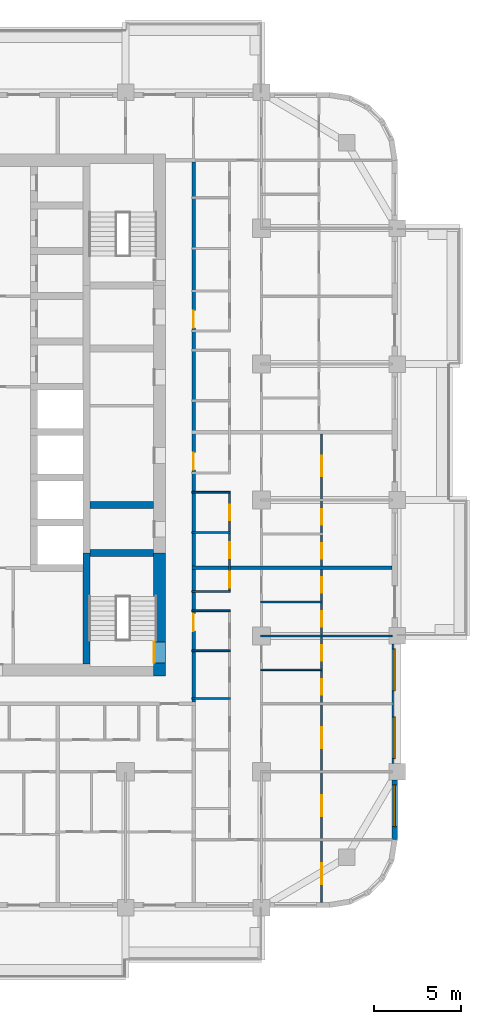
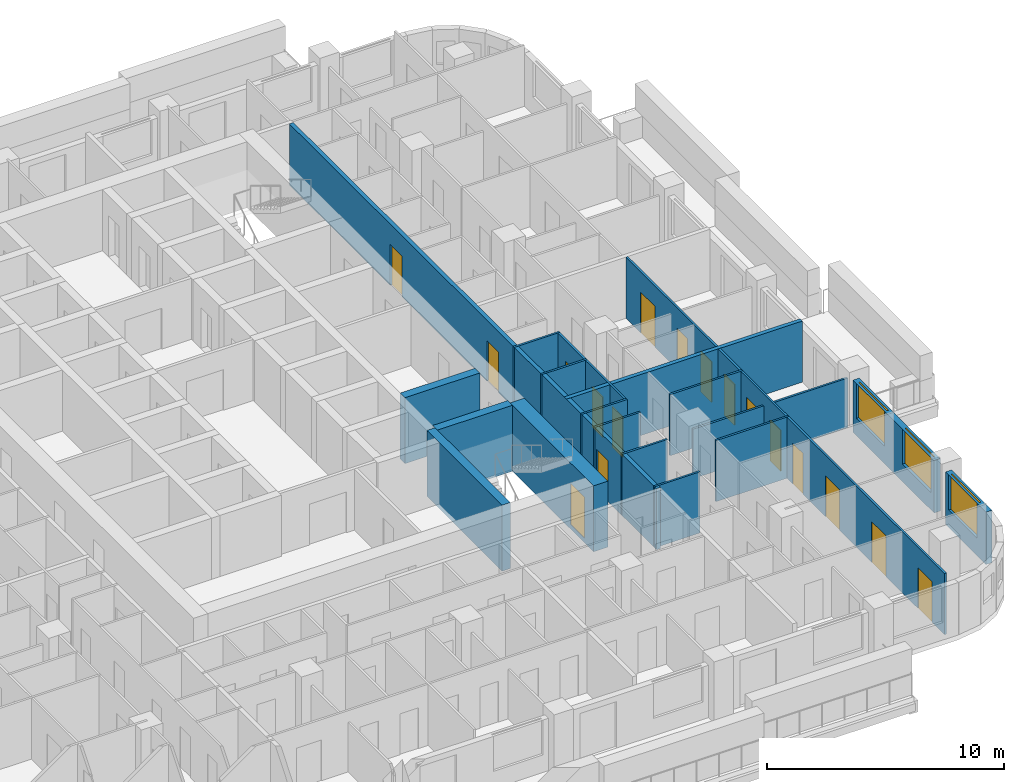
# One storey, part 8 of 17: 19 walls, 17 doors, 3 windows, 20 openings.
"""IFC4 building model written with IfcOpenShell, lengths in metres."""

from ifc_helpers import new_model, si_unit, direction, frame, frame_2d, origin, place, context, subcontext, project, spatial, rectangle, extrude, material, layer, layer_set, type_object, element, fill, save


model = new_model("IFC4")

# Units and contexts
model_context = context("Model", 3, precision=1e-05, world=origin(), true_north=direction((0.0, 1.0)))
body_context = subcontext(model_context, "Body", "Model", "MODEL_VIEW")
ifc_project = project(units=[si_unit("LENGTHUNIT", "METRE"), si_unit("AREAUNIT", "SQUARE_METRE"), si_unit("VOLUMEUNIT", "CUBIC_METRE"), si_unit("PLANEANGLEUNIT", "RADIAN"), si_unit("MASSUNIT", "GRAM", prefix="KILO")], contexts=[model_context])

# Site, building, storey
site_placement = place(None, origin())
site = spatial("IfcSite", under=ifc_project, at=site_placement, CompositionType="ELEMENT")
building_placement = place(site_placement, origin())
building = spatial("IfcBuilding", under=site, at=building_placement, Name="Ludao Terraces", CompositionType="ELEMENT")
storey_placement = place(building_placement, frame((0.0, 0.0, 85.199951171875)))
storey = spatial("IfcBuildingStorey", under=building, at=storey_placement, Name="L23", CompositionType="ELEMENT", Elevation=85.199951171875)

# Wall, opening, door
ifc_material_1 = material(Name="Concrete C70", Category="concrete")
ifc_layer_1 = layer(ifc_material_1, 0.699951171875)
ifc_layer_set_1 = layer_set([ifc_layer_1], Name="Core wall 700 C70")
wall_type_1 = type_object("IfcWallType", Name="Core wall 700 C70", PredefinedType="SOLIDWALL", material=ifc_layer_set_1)
wall_1_placement = place(storey_placement, frame((94.75, 54.89990234375, -0.25), z_axis=(0.0, 0.0, 1.0), x_axis=(0.0, 1.0, 0.0)))
wall_1 = element("IfcWall", 1, at=wall_1_placement, inside=storey, type_object=wall_type_1, Name="Core wall L23 outer-E-S3", PredefinedType="SOLIDWALL", context=body_context, shape_type="SweptSolid", body=[
    extrude(rectangle(XDim=7.050048828125, YDim=0.699951171875, at=frame_2d((3.52490234375, 0.0))), origin(), (0.0, 0.0, 1.0), 3.400146484375),
])
opening_1_placement = place(wall_1_placement, frame((0.75, 0.0, 0.25)))
opening_1 = element("IfcOpeningElement", 2, at=opening_1_placement, cuts=wall_1, Name="Opening R07-058", PredefinedType="OPENING", context=body_context, shape_type="SweptSolid", body=[
    extrude(rectangle(XDim=1.199951171875, YDim=2.10009765625, at=frame_2d((0.60009765625, 1.050048828125))), frame((0.0, 0.35986328125, 0.0), z_axis=(0.0, -1.0, 0.0), x_axis=(1.0, 0.0, 0.0)), (0.0, 0.0, 1.0), 0.719970703125),
])
ifc_material_2 = material(Name="Steel Q235", Category="steel")
door_type_1 = type_object("IfcDoorType", Name="INT Stair door 1200", OperationType="DOUBLE_DOOR_SINGLE_SWING", PredefinedType="DOOR", material=ifc_material_2)
door_1_placement = place(opening_1_placement, origin())
door_1 = element("IfcDoor", 3, at=door_1_placement, inside=storey, type_object=door_type_1, Name="DOOR 058", OperationType="DOUBLE_DOOR_SINGLE_SWING", OverallHeight=2.10009765625, OverallWidth=1.199951171875, PredefinedType="DOOR", context=body_context, shape_type="SweptSolid", body=[
    extrude(rectangle(XDim=1.199951171875, YDim=2.10009765625, at=frame_2d((0.60009765625, 1.050048828125))), frame((0.0, 0.3349609375, 0.0), z_axis=(0.0, -1.0, 0.0), x_axis=(1.0, 0.0, 0.0)), (0.0, 0.0, 1.0), 0.050048828125),
])
fill(opening_1, door_1)

# Wall, opening, window
ifc_material_3 = material(Name="Granite cladding", Category="masonry")
ifc_layer_2 = layer(ifc_material_3, 0.0400390625, Category="stone")
ifc_material_4 = material(Name="Mineral wool")
ifc_layer_3 = layer(ifc_material_4, 0.06005859375)
ifc_material_5 = material(Name="Concrete C40", Category="concrete")
ifc_layer_4 = layer(ifc_material_5, 0.199951171875, Category="concrete")
ifc_layer_set_2 = layer_set([ifc_layer_2, ifc_layer_3, ifc_layer_4], Name="ENV Stone-clad wall 300")
wall_type_2 = type_object("IfcWallType", Name="ENV Stone-clad wall 300", PredefinedType="SOLIDWALL", material=ifc_layer_set_2)
wall_2_placement = place(storey_placement, frame((108.25, 45.5, 0.0), z_axis=(0.0, 0.0, 1.0), x_axis=(0.0, 1.0, 0.0)))
wall_2 = element("IfcWall", 4, at=wall_2_placement, inside=storey, type_object=wall_type_2, Name="EW-L23-E1", PredefinedType="SOLIDWALL", context=body_context, shape_type="SweptSolid", body=[
    extrude(rectangle(XDim=3.425048828125, YDim=0.300048828125, at=frame_2d((1.71240234375, 0.0))), origin(), (0.0, 0.0, 1.0), 2.699951171875),
])
opening_2_placement = place(wall_2_placement, frame((0.75, 0.0, 0.89990234375)))
opening_2 = element("IfcOpeningElement", 5, at=opening_2_placement, cuts=wall_2, Name="Opening W1", PredefinedType="OPENING", context=body_context, shape_type="SweptSolid", body=[
    extrude(rectangle(XDim=2.39990234375, YDim=1.800048828125, at=frame_2d((1.199951171875, 0.89990234375))), frame((0.0, 0.16015625, 0.0), z_axis=(0.0, -1.0, 0.0), x_axis=(1.0, 0.0, 0.0)), (0.0, 0.0, 1.0), 0.320068359375),
])
ifc_material_6 = material(Name="Clear glass in aluminium frame", Category="aluminium")
ifc_layer_5 = layer(ifc_material_6, 0.06005859375)
ifc_layer_set_3 = layer_set([ifc_layer_5], Name="ENV Window W1 2400x1800")
window_type = type_object("IfcWindowType", Name="ENV Window W1 2400x1800", PartitioningType="DOUBLE_PANEL_VERTICAL", PredefinedType="WINDOW", material=ifc_layer_set_3)
window_1_placement = place(opening_2_placement, origin())
window_1 = element("IfcWindow", 6, at=window_1_placement, inside=storey, type_object=window_type, Name="W-L23-E1-1", OverallHeight=1.800048828125, OverallWidth=2.39990234375, PartitioningType="DOUBLE_PANEL_VERTICAL", PredefinedType="WINDOW", context=body_context, shape_type="SweptSolid", body=[
    extrude(rectangle(XDim=2.39990234375, YDim=1.800048828125, at=frame_2d((1.199951171875, 0.89990234375))), frame((0.0, 0.030029296875, 0.0), z_axis=(0.0, -1.0, 0.0), x_axis=(1.0, 0.0, 0.0)), (0.0, 0.0, 1.0), 0.06005859375),
])
fill(opening_2, window_1)

# Wall, openings, windows
wall_3_placement = place(storey_placement, frame((108.25, 49.875, 0.0), z_axis=(0.0, 0.0, 1.0), x_axis=(0.0, 1.0, 0.0)))
wall_3 = element("IfcWall", 7, at=wall_3_placement, inside=storey, type_object=wall_type_2, Name="EW-L23-E2", PredefinedType="SOLIDWALL", context=body_context, shape_type="SweptSolid", body=[
    extrude(rectangle(XDim=6.85009765625, YDim=0.300048828125, at=frame_2d((3.425048828125, 0.0))), origin(), (0.0, 0.0, 1.0), 2.699951171875),
])
opening_3_placement = place(wall_3_placement, frame((0.27490234375, 0.0, 0.89990234375)))
opening_3 = element("IfcOpeningElement", 8, at=opening_3_placement, cuts=wall_3, Name="Opening W1", PredefinedType="OPENING", context=body_context, shape_type="SweptSolid", body=[
    extrude(rectangle(XDim=2.39990234375, YDim=1.800048828125, at=frame_2d((1.199951171875, 0.89990234375))), frame((0.0, 0.16015625, 0.0), z_axis=(0.0, -1.0, 0.0), x_axis=(1.0, 0.0, 0.0)), (0.0, 0.0, 1.0), 0.320068359375),
])
opening_4_placement = place(wall_3_placement, frame((4.175048828125, 0.0, 0.89990234375)))
opening_4 = element("IfcOpeningElement", 9, at=opening_4_placement, cuts=wall_3, Name="Opening W1", PredefinedType="OPENING", context=body_context, shape_type="SweptSolid", body=[
    extrude(rectangle(XDim=2.39990234375, YDim=1.800048828125, at=frame_2d((1.199951171875, 0.89990234375))), frame((0.0, 0.16015625, 0.0), z_axis=(0.0, -1.0, 0.0), x_axis=(1.0, 0.0, 0.0)), (0.0, 0.0, 1.0), 0.320068359375),
])
window_2_placement = place(opening_3_placement, origin())
window_2 = element("IfcWindow", 10, at=window_2_placement, inside=storey, type_object=window_type, Name="W-L23-E2-1", OverallHeight=1.800048828125, OverallWidth=2.39990234375, PartitioningType="DOUBLE_PANEL_VERTICAL", PredefinedType="WINDOW", context=body_context, shape_type="SweptSolid", body=[
    extrude(rectangle(XDim=2.39990234375, YDim=1.800048828125, at=frame_2d((1.199951171875, 0.89990234375))), frame((0.0, 0.030029296875, 0.0), z_axis=(0.0, -1.0, 0.0), x_axis=(1.0, 0.0, 0.0)), (0.0, 0.0, 1.0), 0.06005859375),
])
fill(opening_3, window_2)
window_3_placement = place(opening_4_placement, origin())
window_3 = element("IfcWindow", 11, at=window_3_placement, inside=storey, type_object=window_type, Name="W-L23-E2-2", OverallHeight=1.800048828125, OverallWidth=2.39990234375, PartitioningType="DOUBLE_PANEL_VERTICAL", PredefinedType="WINDOW", context=body_context, shape_type="SweptSolid", body=[
    extrude(rectangle(XDim=2.39990234375, YDim=1.800048828125, at=frame_2d((1.199951171875, 0.89990234375))), frame((0.0, 0.030029296875, 0.0), z_axis=(0.0, -1.0, 0.0), x_axis=(1.0, 0.0, 0.0)), (0.0, 0.0, 1.0), 0.06005859375),
])
fill(opening_4, window_3)

# Wall, openings, doors
ifc_material_7 = material(Name="Autoclaved aerated concrete block B06 A3.5", Category="concrete")
ifc_layer_6 = layer(ifc_material_7, 0.199951171875)
ifc_layer_set_4 = layer_set([ifc_layer_6], Name="INT Entrance wall 200")
wall_type_3 = type_object("IfcWallType", Name="INT Entrance wall 200", PredefinedType="PARTITIONING", material=ifc_layer_set_4)
wall_4_placement = place(storey_placement, frame((96.699951171875, 53.400146484375, 0.0), z_axis=(0.0, 0.0, 1.0), x_axis=(0.0, 1.0, 0.0)))
wall_4 = element("IfcWall", 12, at=wall_4_placement, inside=storey, type_object=wall_type_3, Name="PW-L23-PW115", PredefinedType="PARTITIONING", context=body_context, shape_type="SweptSolid", body=[
    extrude(rectangle(XDim=31.0, YDim=0.199951171875, at=frame_2d((15.5, 0.0))), origin(), (0.0, 0.0, 1.0), 3.150146484375),
])
opening_5_placement = place(wall_4_placement, frame((4.074951171875, 0.0, 0.0)))
opening_5 = element("IfcOpeningElement", 13, at=opening_5_placement, cuts=wall_4, Name="Opening R07-061", PredefinedType="OPENING", context=body_context, shape_type="SweptSolid", body=[
    extrude(rectangle(XDim=1.0, YDim=2.10009765625, at=frame_2d((0.5, 1.050048828125))), frame((0.0, 0.10986328125, 0.0), z_axis=(0.0, -1.0, 0.0), x_axis=(1.0, 0.0, 0.0)), (0.0, 0.0, 1.0), 0.219970703125),
])
opening_6_placement = place(wall_4_placement, frame((13.324951171875, 0.0, 0.0)))
opening_6 = element("IfcOpeningElement", 14, at=opening_6_placement, cuts=wall_4, Name="Opening R07-090", PredefinedType="OPENING", context=body_context, shape_type="SweptSolid", body=[
    extrude(rectangle(XDim=1.0, YDim=2.10009765625, at=frame_2d((0.5, 1.050048828125))), frame((0.0, 0.10986328125, 0.0), z_axis=(0.0, -1.0, 0.0), x_axis=(1.0, 0.0, 0.0)), (0.0, 0.0, 1.0), 0.219970703125),
])
opening_7_placement = place(wall_4_placement, frame((21.47509765625, 0.0, 0.0)))
opening_7 = element("IfcOpeningElement", 15, at=opening_7_placement, cuts=wall_4, Name="Opening R07-116", PredefinedType="OPENING", context=body_context, shape_type="SweptSolid", body=[
    extrude(rectangle(XDim=1.0, YDim=2.10009765625, at=frame_2d((0.5, 1.050048828125))), frame((0.0, 0.10986328125, 0.0), z_axis=(0.0, -1.0, 0.0), x_axis=(1.0, 0.0, 0.0)), (0.0, 0.0, 1.0), 0.219970703125),
])
door_type_2 = type_object("IfcDoorType", Name="INT Flat entrance door 1000", OperationType="SINGLE_SWING_LEFT", PredefinedType="DOOR", material=ifc_material_2)
door_2_placement = place(opening_5_placement, origin())
door_2 = element("IfcDoor", 16, at=door_2_placement, inside=storey, type_object=door_type_2, Name="DOOR 061", OperationType="SINGLE_SWING_RIGHT", OverallHeight=2.10009765625, OverallWidth=1.0, PredefinedType="DOOR", context=body_context, shape_type="SweptSolid", body=[
    extrude(rectangle(XDim=1.0, YDim=2.10009765625, at=frame_2d((0.5, 1.050048828125))), frame((0.0, 0.02490234375, 0.0), z_axis=(0.0, -1.0, 0.0), x_axis=(1.0, 0.0, 0.0)), (0.0, 0.0, 1.0), 0.050048828125),
])
fill(opening_5, door_2)
door_3_placement = place(opening_6_placement, origin())
door_3 = element("IfcDoor", 17, at=door_3_placement, inside=storey, type_object=door_type_2, Name="DOOR 090", OperationType="SINGLE_SWING_LEFT", OverallHeight=2.10009765625, OverallWidth=1.0, PredefinedType="DOOR", context=body_context, shape_type="SweptSolid", body=[
    extrude(rectangle(XDim=1.0, YDim=2.10009765625, at=frame_2d((0.5, 1.050048828125))), frame((0.0, 0.02490234375, 0.0), z_axis=(0.0, -1.0, 0.0), x_axis=(1.0, 0.0, 0.0)), (0.0, 0.0, 1.0), 0.050048828125),
])
fill(opening_6, door_3)
door_4_placement = place(opening_7_placement, origin())
door_4 = element("IfcDoor", 18, at=door_4_placement, inside=storey, type_object=door_type_2, Name="DOOR 116", OperationType="SINGLE_SWING_LEFT", OverallHeight=2.10009765625, OverallWidth=1.0, PredefinedType="DOOR", context=body_context, shape_type="SweptSolid", body=[
    extrude(rectangle(XDim=1.0, YDim=2.10009765625, at=frame_2d((0.5, 1.050048828125))), frame((0.0, 0.02490234375, 0.0), z_axis=(0.0, -1.0, 0.0), x_axis=(1.0, 0.0, 0.0)), (0.0, 0.0, 1.0), 0.050048828125),
])
fill(opening_7, door_4)

# Walls
ifc_material_8 = material(Name="Gypsum plasterboard", Category="gypsum")
ifc_layer_7 = layer(ifc_material_8, 0.012451171875, Category="gypsum")
ifc_layer_8 = layer(ifc_material_4, 0.06005859375, Name="insulation")
ifc_layer_9 = layer(ifc_material_2, 0.014892578125, Name="stud")
ifc_layer_10 = layer(ifc_material_8, 0.012451171875, Category="gypsum")
ifc_layer_set_5 = layer_set([ifc_layer_7, ifc_layer_8, ifc_layer_9, ifc_layer_10], Name="INT Partition 100")
wall_type_4 = type_object("IfcWallType", Name="INT Partition 100", PredefinedType="PARTITIONING", material=ifc_layer_set_5)
wall_5_placement = place(storey_placement, frame((96.60009765625, 53.60009765625, 0.0), z_axis=(0.0, 0.0, 1.0), x_axis=(1.0, 0.0, 0.0)))
element("IfcWall", 19, at=wall_5_placement, inside=storey, type_object=wall_type_4, Name="PW-L23-PW019", PredefinedType="PARTITIONING", context=body_context, shape_type="SweptSolid", body=[
    extrude(rectangle(XDim=2.219970703125, YDim=0.10009765625, at=frame_2d((1.10986328125, 0.0))), origin(), (0.0, 0.0, 1.0), 3.150146484375),
])
wall_6_placement = place(storey_placement, frame((100.550048828125, 55.25, 0.0), z_axis=(0.0, 0.0, 1.0), x_axis=(1.0, 0.0, 0.0)))
element("IfcWall", 20, at=wall_6_placement, inside=storey, type_object=wall_type_4, Name="PW-L23-PW021", PredefinedType="PARTITIONING", context=body_context, shape_type="SweptSolid", body=[
    extrude(rectangle(XDim=3.550048828125, YDim=0.10009765625, at=frame_2d((1.77490234375, 0.0))), origin(), (0.0, 0.0, 1.0), 3.150146484375),
])
wall_7_placement = place(storey_placement, frame((96.60009765625, 56.35009765625, 0.0), z_axis=(0.0, 0.0, 1.0), x_axis=(1.0, 0.0, 0.0)))
element("IfcWall", 21, at=wall_7_placement, inside=storey, type_object=wall_type_4, Name="PW-L23-PW022", PredefinedType="PARTITIONING", context=body_context, shape_type="SweptSolid", body=[
    extrude(rectangle(XDim=2.219970703125, YDim=0.10009765625, at=frame_2d((1.10986328125, 0.0))), origin(), (0.0, 0.0, 1.0), 3.150146484375),
])
wall_8_placement = place(storey_placement, frame((100.550048828125, 57.199951171875, 0.0), z_axis=(0.0, 0.0, 1.0), x_axis=(1.0, 0.0, 0.0)))
element("IfcWall", 22, at=wall_8_placement, inside=storey, type_object=wall_type_4, Name="PW-L23-PW025", PredefinedType="PARTITIONING", context=body_context, shape_type="SweptSolid", body=[
    extrude(rectangle(XDim=7.550048828125, YDim=0.10009765625, at=frame_2d((3.77490234375, 0.0))), origin(), (0.0, 0.0, 1.0), 2.550048828125),
])
wall_9_placement = place(storey_placement, frame((96.60009765625, 58.64990234375, 0.0), z_axis=(0.0, 0.0, 1.0), x_axis=(1.0, 0.0, 0.0)))
element("IfcWall", 23, at=wall_9_placement, inside=storey, type_object=wall_type_4, Name="PW-L23-PW026", PredefinedType="PARTITIONING", context=body_context, shape_type="SweptSolid", body=[
    extrude(rectangle(XDim=2.219970703125, YDim=0.10009765625, at=frame_2d((1.10986328125, 0.0))), origin(), (0.0, 0.0, 1.0), 3.150146484375),
])
wall_10_placement = place(storey_placement, frame((100.550048828125, 59.14990234375, 0.0), z_axis=(0.0, 0.0, 1.0), x_axis=(1.0, 0.0, 0.0)))
element("IfcWall", 24, at=wall_10_placement, inside=storey, type_object=wall_type_4, Name="PW-L23-PW029", PredefinedType="PARTITIONING", context=body_context, shape_type="SweptSolid", body=[
    extrude(rectangle(XDim=3.550048828125, YDim=0.10009765625, at=frame_2d((1.77490234375, 0.0))), origin(), (0.0, 0.0, 1.0), 3.150146484375),
])
for number, where, z_axis, x_axis, name in (
    (25, (96.60009765625, 59.75, 0.0), (0.0, 0.0, 1.0), (1.0, 0.0, 0.0), "PW-L23-PW030"),
    (26, (96.60009765625, 63.1298828125, 0.0), (0.0, 0.0, 1.0), (1.0, 0.0, 0.0), "PW-L23-PW036"),
    (27, (96.60009765625, 65.449951171875, 0.0), (0.0, 0.0, 1.0), (1.0, 0.0, 0.0), "PW-L23-PW040"),
):
    element("IfcWall", number, at=place(storey_placement, frame(where, z_axis=z_axis, x_axis=x_axis)), inside=storey, type_object=wall_type_4, Name=name, PredefinedType="PARTITIONING", context=body_context, shape_type="SweptSolid", body=[
        extrude(rectangle(XDim=2.219970703125, YDim=0.10009765625, at=frame_2d((1.10986328125, 0.0))), origin(), (0.0, 0.0, 1.0), 3.150146484375),
    ])

# Wall, openings, doors
wall_11_placement = place(storey_placement, frame((98.77001953125, 59.800048828125, 0.0), z_axis=(0.0, 0.0, 1.0), x_axis=(0.0, 1.0, 0.0)))
wall_11 = element("IfcWall", 28, at=wall_11_placement, inside=storey, type_object=wall_type_4, Name="PW-L23-PW118", PredefinedType="PARTITIONING", context=body_context, shape_type="SweptSolid", body=[
    extrude(rectangle(XDim=5.60009765625, YDim=0.10009765625, at=frame_2d((2.800048828125, 0.0))), origin(), (0.0, 0.0, 1.0), 3.150146484375),
])
opening_8_placement = place(wall_11_placement, frame((0.175048828125, 0.0, 0.0)))
opening_8 = element("IfcOpeningElement", 29, at=opening_8_placement, cuts=wall_11, Name="Opening R07-071", PredefinedType="OPENING", context=body_context, shape_type="SweptSolid", body=[
    extrude(rectangle(XDim=0.89990234375, YDim=2.10009765625, at=frame_2d((0.449951171875, 1.050048828125))), frame((0.0, 0.06005859375, 0.0), z_axis=(0.0, -1.0, 0.0), x_axis=(1.0, 0.0, 0.0)), (0.0, 0.0, 1.0), 0.1201171875),
])
opening_9_placement = place(wall_11_placement, frame((1.864990234375, 0.0, 0.0)))
opening_9 = element("IfcOpeningElement", 30, at=opening_9_placement, cuts=wall_11, Name="Opening R07-074", PredefinedType="OPENING", context=body_context, shape_type="SweptSolid", body=[
    extrude(rectangle(XDim=0.89990234375, YDim=2.10009765625, at=frame_2d((0.449951171875, 1.050048828125))), frame((0.0, 0.06005859375, 0.0), z_axis=(0.0, -1.0, 0.0), x_axis=(1.0, 0.0, 0.0)), (0.0, 0.0, 1.0), 0.1201171875),
])
opening_10_placement = place(wall_11_placement, frame((4.0400390625, 0.0, 0.0)))
opening_10 = element("IfcOpeningElement", 31, at=opening_10_placement, cuts=wall_11, Name="Opening R07-083", PredefinedType="OPENING", context=body_context, shape_type="SweptSolid", body=[
    extrude(rectangle(XDim=0.89990234375, YDim=2.10009765625, at=frame_2d((0.449951171875, 1.050048828125))), frame((0.0, 0.06005859375, 0.0), z_axis=(0.0, -1.0, 0.0), x_axis=(1.0, 0.0, 0.0)), (0.0, 0.0, 1.0), 0.1201171875),
])
ifc_material_9 = material(Name="Timber door leaf", Category="wood")
door_type_3 = type_object("IfcDoorType", Name="INT Bathroom door 900", OperationType="SINGLE_SWING_LEFT", PredefinedType="DOOR", material=ifc_material_9)
door_5_placement = place(opening_8_placement, origin())
door_5 = element("IfcDoor", 32, at=door_5_placement, inside=storey, type_object=door_type_3, Name="DOOR 071", OperationType="SINGLE_SWING_RIGHT", OverallHeight=2.10009765625, OverallWidth=0.89990234375, PredefinedType="DOOR", context=body_context, shape_type="SweptSolid", body=[
    extrude(rectangle(XDim=0.89990234375, YDim=2.10009765625, at=frame_2d((0.449951171875, 1.050048828125))), frame((0.0, 0.02490234375, 0.0), z_axis=(0.0, -1.0, 0.0), x_axis=(1.0, 0.0, 0.0)), (0.0, 0.0, 1.0), 0.050048828125),
])
fill(opening_8, door_5)
door_6_placement = place(opening_9_placement, origin())
door_6 = element("IfcDoor", 33, at=door_6_placement, inside=storey, type_object=door_type_3, Name="DOOR 074", OperationType="SINGLE_SWING_LEFT", OverallHeight=2.10009765625, OverallWidth=0.89990234375, PredefinedType="DOOR", context=body_context, shape_type="SweptSolid", body=[
    extrude(rectangle(XDim=0.89990234375, YDim=2.10009765625, at=frame_2d((0.449951171875, 1.050048828125))), frame((0.0, 0.02490234375, 0.0), z_axis=(0.0, -1.0, 0.0), x_axis=(1.0, 0.0, 0.0)), (0.0, 0.0, 1.0), 0.050048828125),
])
fill(opening_9, door_6)
door_type_4 = type_object("IfcDoorType", Name="INT Room door 900", OperationType="SINGLE_SWING_LEFT", PredefinedType="DOOR", material=ifc_material_9)
door_7_placement = place(opening_10_placement, origin())
door_7 = element("IfcDoor", 34, at=door_7_placement, inside=storey, type_object=door_type_4, Name="DOOR 083", OperationType="SINGLE_SWING_LEFT", OverallHeight=2.10009765625, OverallWidth=0.89990234375, PredefinedType="DOOR", context=body_context, shape_type="SweptSolid", body=[
    extrude(rectangle(XDim=0.89990234375, YDim=2.10009765625, at=frame_2d((0.449951171875, 1.050048828125))), frame((0.0, 0.02490234375, 0.0), z_axis=(0.0, -1.0, 0.0), x_axis=(1.0, 0.0, 0.0)), (0.0, 0.0, 1.0), 0.050048828125),
])
fill(opening_10, door_7)

wall_12_placement = place(storey_placement, frame((104.050048828125, 41.900146484375, 0.0), z_axis=(0.0, 0.0, 1.0), x_axis=(0.0, 1.0, 0.0)))
wall_12 = element("IfcWall", 35, at=wall_12_placement, inside=storey, type_object=wall_type_4, Name="PW-L23-PW123", PredefinedType="PARTITIONING", context=body_context, shape_type="SweptSolid", body=[
    extrude(rectangle(XDim=26.89990234375, YDim=0.10009765625, at=frame_2d((13.449951171875, 0.0))), origin(), (0.0, 0.0, 1.0), 3.150146484375),
])
opening_11_placement = place(wall_12_placement, frame((1.050048828125, 0.0, 0.0)))
opening_11 = element("IfcOpeningElement", 36, at=opening_11_placement, cuts=wall_12, Name="Opening R07-004", PredefinedType="OPENING", context=body_context, shape_type="SweptSolid", body=[
    extrude(rectangle(XDim=1.199951171875, YDim=2.10009765625, at=frame_2d((0.60009765625, 1.050048828125))), frame((0.0, 0.06005859375, 0.0), z_axis=(0.0, -1.0, 0.0), x_axis=(1.0, 0.0, 0.0)), (0.0, 0.0, 1.0), 0.1201171875),
])
opening_12_placement = place(wall_12_placement, frame((4.949951171875, 0.0, 0.0)))
opening_12 = element("IfcOpeningElement", 37, at=opening_12_placement, cuts=wall_12, Name="Opening R07-021", PredefinedType="OPENING", context=body_context, shape_type="SweptSolid", body=[
    extrude(rectangle(XDim=1.199951171875, YDim=2.10009765625, at=frame_2d((0.60009765625, 1.050048828125))), frame((0.0, 0.06005859375, 0.0), z_axis=(0.0, -1.0, 0.0), x_axis=(1.0, 0.0, 0.0)), (0.0, 0.0, 1.0), 0.1201171875),
])
opening_13_placement = place(wall_12_placement, frame((8.85009765625, 0.0, 0.0)))
opening_13 = element("IfcOpeningElement", 38, at=opening_13_placement, cuts=wall_12, Name="Opening R07-044", PredefinedType="OPENING", context=body_context, shape_type="SweptSolid", body=[
    extrude(rectangle(XDim=1.199951171875, YDim=2.10009765625, at=frame_2d((0.60009765625, 1.050048828125))), frame((0.0, 0.06005859375, 0.0), z_axis=(0.0, -1.0, 0.0), x_axis=(1.0, 0.0, 0.0)), (0.0, 0.0, 1.0), 0.1201171875),
])
opening_14_placement = place(wall_12_placement, frame((11.925048828125, 0.0, 0.0)))
opening_14 = element("IfcOpeningElement", 39, at=opening_14_placement, cuts=wall_12, Name="Opening R07-050", PredefinedType="OPENING", context=body_context, shape_type="SweptSolid", body=[
    extrude(rectangle(XDim=0.89990234375, YDim=2.10009765625, at=frame_2d((0.449951171875, 1.050048828125))), frame((0.0, 0.06005859375, 0.0), z_axis=(0.0, -1.0, 0.0), x_axis=(1.0, 0.0, 0.0)), (0.0, 0.0, 1.0), 0.1201171875),
])
opening_15_placement = place(wall_12_placement, frame((13.875, 0.0, 0.0)))
opening_15 = element("IfcOpeningElement", 40, at=opening_15_placement, cuts=wall_12, Name="Opening R07-057", PredefinedType="OPENING", context=body_context, shape_type="SweptSolid", body=[
    extrude(rectangle(XDim=0.89990234375, YDim=2.10009765625, at=frame_2d((0.449951171875, 1.050048828125))), frame((0.0, 0.06005859375, 0.0), z_axis=(0.0, -1.0, 0.0), x_axis=(1.0, 0.0, 0.0)), (0.0, 0.0, 1.0), 0.1201171875),
])
opening_16_placement = place(wall_12_placement, frame((15.824951171875, 0.0, 0.0)))
opening_16 = element("IfcOpeningElement", 41, at=opening_16_placement, cuts=wall_12, Name="Opening R07-065", PredefinedType="OPENING", context=body_context, shape_type="SweptSolid", body=[
    extrude(rectangle(XDim=0.89990234375, YDim=2.10009765625, at=frame_2d((0.449951171875, 1.050048828125))), frame((0.0, 0.06005859375, 0.0), z_axis=(0.0, -1.0, 0.0), x_axis=(1.0, 0.0, 0.0)), (0.0, 0.0, 1.0), 0.1201171875),
])
opening_17_placement = place(wall_12_placement, frame((17.77490234375, 0.0, 0.0)))
opening_17 = element("IfcOpeningElement", 42, at=opening_17_placement, cuts=wall_12, Name="Opening R07-069", PredefinedType="OPENING", context=body_context, shape_type="SweptSolid", body=[
    extrude(rectangle(XDim=0.89990234375, YDim=2.10009765625, at=frame_2d((0.449951171875, 1.050048828125))), frame((0.0, 0.06005859375, 0.0), z_axis=(0.0, -1.0, 0.0), x_axis=(1.0, 0.0, 0.0)), (0.0, 0.0, 1.0), 0.1201171875),
])
opening_18_placement = place(wall_12_placement, frame((19.72509765625, 0.0, 0.0)))
opening_18 = element("IfcOpeningElement", 43, at=opening_18_placement, cuts=wall_12, Name="Opening R07-073", PredefinedType="OPENING", context=body_context, shape_type="SweptSolid", body=[
    extrude(rectangle(XDim=0.89990234375, YDim=2.10009765625, at=frame_2d((0.449951171875, 1.050048828125))), frame((0.0, 0.06005859375, 0.0), z_axis=(0.0, -1.0, 0.0), x_axis=(1.0, 0.0, 0.0)), (0.0, 0.0, 1.0), 0.1201171875),
])
opening_19_placement = place(wall_12_placement, frame((21.675048828125, 0.0, 0.0)))
opening_19 = element("IfcOpeningElement", 44, at=opening_19_placement, cuts=wall_12, Name="Opening R07-082", PredefinedType="OPENING", context=body_context, shape_type="SweptSolid", body=[
    extrude(rectangle(XDim=0.89990234375, YDim=2.10009765625, at=frame_2d((0.449951171875, 1.050048828125))), frame((0.0, 0.06005859375, 0.0), z_axis=(0.0, -1.0, 0.0), x_axis=(1.0, 0.0, 0.0)), (0.0, 0.0, 1.0), 0.1201171875),
])
opening_20_placement = place(wall_12_placement, frame((24.449951171875, 0.0, 0.0)))
opening_20 = element("IfcOpeningElement", 45, at=opening_20_placement, cuts=wall_12, Name="Opening R07-089", PredefinedType="OPENING", context=body_context, shape_type="SweptSolid", body=[
    extrude(rectangle(XDim=1.199951171875, YDim=2.10009765625, at=frame_2d((0.60009765625, 1.050048828125))), frame((0.0, 0.06005859375, 0.0), z_axis=(0.0, -1.0, 0.0), x_axis=(1.0, 0.0, 0.0)), (0.0, 0.0, 1.0), 0.1201171875),
])
door_8_placement = place(opening_14_placement, origin())
door_8 = element("IfcDoor", 46, at=door_8_placement, inside=storey, type_object=door_type_3, Name="DOOR 050", OperationType="SINGLE_SWING_LEFT", OverallHeight=2.10009765625, OverallWidth=0.89990234375, PredefinedType="DOOR", context=body_context, shape_type="SweptSolid", body=[
    extrude(rectangle(XDim=0.89990234375, YDim=2.10009765625, at=frame_2d((0.449951171875, 1.050048828125))), frame((0.0, 0.02490234375, 0.0), z_axis=(0.0, -1.0, 0.0), x_axis=(1.0, 0.0, 0.0)), (0.0, 0.0, 1.0), 0.050048828125),
])
fill(opening_14, door_8)
door_9_placement = place(opening_16_placement, origin())
door_9 = element("IfcDoor", 47, at=door_9_placement, inside=storey, type_object=door_type_3, Name="DOOR 065", OperationType="SINGLE_SWING_LEFT", OverallHeight=2.10009765625, OverallWidth=0.89990234375, PredefinedType="DOOR", context=body_context, shape_type="SweptSolid", body=[
    extrude(rectangle(XDim=0.89990234375, YDim=2.10009765625, at=frame_2d((0.449951171875, 1.050048828125))), frame((0.0, 0.02490234375, 0.0), z_axis=(0.0, -1.0, 0.0), x_axis=(1.0, 0.0, 0.0)), (0.0, 0.0, 1.0), 0.050048828125),
])
fill(opening_16, door_9)
door_10_placement = place(opening_18_placement, origin())
door_10 = element("IfcDoor", 48, at=door_10_placement, inside=storey, type_object=door_type_3, Name="DOOR 073", OperationType="SINGLE_SWING_LEFT", OverallHeight=2.10009765625, OverallWidth=0.89990234375, PredefinedType="DOOR", context=body_context, shape_type="SweptSolid", body=[
    extrude(rectangle(XDim=0.89990234375, YDim=2.10009765625, at=frame_2d((0.449951171875, 1.050048828125))), frame((0.0, 0.02490234375, 0.0), z_axis=(0.0, -1.0, 0.0), x_axis=(1.0, 0.0, 0.0)), (0.0, 0.0, 1.0), 0.050048828125),
])
fill(opening_18, door_10)
door_type_5 = type_object("IfcDoorType", Name="INT Double door 1200", OperationType="DOUBLE_DOOR_SINGLE_SWING", PredefinedType="DOOR", material=ifc_material_9)
door_11_placement = place(opening_11_placement, origin())
door_11 = element("IfcDoor", 49, at=door_11_placement, inside=storey, type_object=door_type_5, Name="DOOR 004", OperationType="DOUBLE_DOOR_SINGLE_SWING", OverallHeight=2.10009765625, OverallWidth=1.199951171875, PredefinedType="DOOR", context=body_context, shape_type="SweptSolid", body=[
    extrude(rectangle(XDim=1.199951171875, YDim=2.10009765625, at=frame_2d((0.60009765625, 1.050048828125))), frame((0.0, 0.02490234375, 0.0), z_axis=(0.0, -1.0, 0.0), x_axis=(1.0, 0.0, 0.0)), (0.0, 0.0, 1.0), 0.050048828125),
])
fill(opening_11, door_11)
door_12_placement = place(opening_12_placement, origin())
door_12 = element("IfcDoor", 50, at=door_12_placement, inside=storey, type_object=door_type_5, Name="DOOR 021", OperationType="DOUBLE_DOOR_SINGLE_SWING", OverallHeight=2.10009765625, OverallWidth=1.199951171875, PredefinedType="DOOR", context=body_context, shape_type="SweptSolid", body=[
    extrude(rectangle(XDim=1.199951171875, YDim=2.10009765625, at=frame_2d((0.60009765625, 1.050048828125))), frame((0.0, 0.02490234375, 0.0), z_axis=(0.0, -1.0, 0.0), x_axis=(1.0, 0.0, 0.0)), (0.0, 0.0, 1.0), 0.050048828125),
])
fill(opening_12, door_12)
door_13_placement = place(opening_13_placement, origin())
door_13 = element("IfcDoor", 51, at=door_13_placement, inside=storey, type_object=door_type_5, Name="DOOR 044", OperationType="DOUBLE_DOOR_SINGLE_SWING", OverallHeight=2.10009765625, OverallWidth=1.199951171875, PredefinedType="DOOR", context=body_context, shape_type="SweptSolid", body=[
    extrude(rectangle(XDim=1.199951171875, YDim=2.10009765625, at=frame_2d((0.60009765625, 1.050048828125))), frame((0.0, 0.02490234375, 0.0), z_axis=(0.0, -1.0, 0.0), x_axis=(1.0, 0.0, 0.0)), (0.0, 0.0, 1.0), 0.050048828125),
])
fill(opening_13, door_13)
door_14_placement = place(opening_20_placement, origin())
door_14 = element("IfcDoor", 52, at=door_14_placement, inside=storey, type_object=door_type_5, Name="DOOR 089", OperationType="DOUBLE_DOOR_SINGLE_SWING", OverallHeight=2.10009765625, OverallWidth=1.199951171875, PredefinedType="DOOR", context=body_context, shape_type="SweptSolid", body=[
    extrude(rectangle(XDim=1.199951171875, YDim=2.10009765625, at=frame_2d((0.60009765625, 1.050048828125))), frame((0.0, 0.02490234375, 0.0), z_axis=(0.0, -1.0, 0.0), x_axis=(1.0, 0.0, 0.0)), (0.0, 0.0, 1.0), 0.050048828125),
])
fill(opening_20, door_14)
door_15_placement = place(opening_15_placement, origin())
door_15 = element("IfcDoor", 53, at=door_15_placement, inside=storey, type_object=door_type_4, Name="DOOR 057", OperationType="SINGLE_SWING_RIGHT", OverallHeight=2.10009765625, OverallWidth=0.89990234375, PredefinedType="DOOR", context=body_context, shape_type="SweptSolid", body=[
    extrude(rectangle(XDim=0.89990234375, YDim=2.10009765625, at=frame_2d((0.449951171875, 1.050048828125))), frame((0.0, 0.02490234375, 0.0), z_axis=(0.0, -1.0, 0.0), x_axis=(1.0, 0.0, 0.0)), (0.0, 0.0, 1.0), 0.050048828125),
])
fill(opening_15, door_15)
door_16_placement = place(opening_17_placement, origin())
door_16 = element("IfcDoor", 54, at=door_16_placement, inside=storey, type_object=door_type_4, Name="DOOR 069", OperationType="SINGLE_SWING_LEFT", OverallHeight=2.10009765625, OverallWidth=0.89990234375, PredefinedType="DOOR", context=body_context, shape_type="SweptSolid", body=[
    extrude(rectangle(XDim=0.89990234375, YDim=2.10009765625, at=frame_2d((0.449951171875, 1.050048828125))), frame((0.0, 0.02490234375, 0.0), z_axis=(0.0, -1.0, 0.0), x_axis=(1.0, 0.0, 0.0)), (0.0, 0.0, 1.0), 0.050048828125),
])
fill(opening_17, door_16)
door_17_placement = place(opening_19_placement, origin())
door_17 = element("IfcDoor", 55, at=door_17_placement, inside=storey, type_object=door_type_4, Name="DOOR 082", OperationType="SINGLE_SWING_LEFT", OverallHeight=2.10009765625, OverallWidth=0.89990234375, PredefinedType="DOOR", context=body_context, shape_type="SweptSolid", body=[
    extrude(rectangle(XDim=0.89990234375, YDim=2.10009765625, at=frame_2d((0.449951171875, 1.050048828125))), frame((0.0, 0.02490234375, 0.0), z_axis=(0.0, -1.0, 0.0), x_axis=(1.0, 0.0, 0.0)), (0.0, 0.0, 1.0), 0.050048828125),
])
fill(opening_19, door_17)

# Walls
ifc_layer_11 = layer(ifc_material_7, 0.199951171875)
ifc_layer_set_6 = layer_set([ifc_layer_11], Name="INT Party wall 200")
wall_type_5 = type_object("IfcWallType", Name="INT Party wall 200", PredefinedType="PARTITIONING", material=ifc_layer_set_6)
wall_13_placement = place(storey_placement, frame((96.60009765625, 61.10009765625, 0.0), z_axis=(0.0, 0.0, 1.0), x_axis=(1.0, 0.0, 0.0)))
element("IfcWall", 56, at=wall_13_placement, inside=storey, type_object=wall_type_5, Name="PW-L23-PW034", PredefinedType="PARTITIONING", context=body_context, shape_type="SweptSolid", body=[
    extrude(rectangle(XDim=11.5, YDim=0.199951171875, at=frame_2d((5.75, 0.0))), origin(), (0.0, 0.0, 1.0), 3.150146484375),
])
ifc_material_10 = material(Name="Concrete C60", Category="concrete")
ifc_layer_12 = layer(ifc_material_10, 0.39990234375)
ifc_layer_set_7 = layer_set([ifc_layer_12], Name="Shaft wall 400 C60")
wall_type_6 = type_object("IfcWallType", Name="Shaft wall 400 C60", PredefinedType="SOLIDWALL", material=ifc_layer_set_7)
wall_14_placement = place(storey_placement, frame((90.550048828125, 55.60009765625, -0.25), z_axis=(0.0, 0.0, 1.0), x_axis=(0.0, 1.0, 0.0)))
element("IfcWall", 57, at=wall_14_placement, inside=storey, type_object=wall_type_6, Name="Core wall L23 back-E-S3", PredefinedType="SOLIDWALL", context=body_context, shape_type="SweptSolid", body=[
    extrude(rectangle(XDim=6.349853515625, YDim=0.39990234375, at=frame_2d((3.1748046875, 0.0))), origin(), (0.0, 0.0, 1.0), 3.400146484375),
])
for number, where, z_axis, x_axis, name in (
    (58, (90.75, 61.949951171875, -0.25), (0.0, 0.0, 1.0), (1.0, 0.0, 0.0), "Core wall L23 hall-E"),
    (59, (90.75, 64.699951171875, -0.25), (0.0, 0.0, 1.0), (1.0, 0.0, 0.0), "Core wall L23 riser-a-E"),
):
    element("IfcWall", number, at=place(storey_placement, frame(where, z_axis=z_axis, x_axis=x_axis)), inside=storey, type_object=wall_type_6, Name=name, PredefinedType="SOLIDWALL", context=body_context, shape_type="SweptSolid", body=[
        extrude(rectangle(XDim=3.64990234375, YDim=0.39990234375, at=frame_2d((1.824951171875, 0.0))), origin(), (0.0, 0.0, 1.0), 3.400146484375),
    ])

save(model, "model.ifc")
